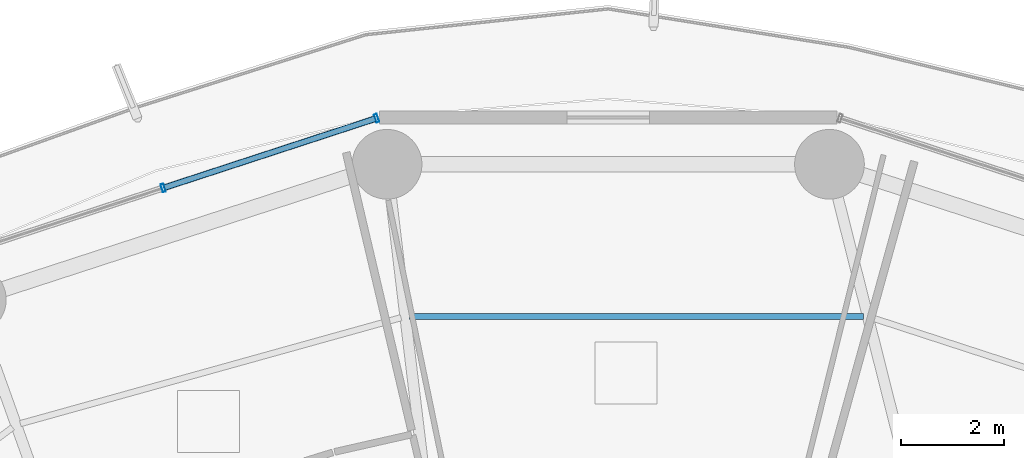
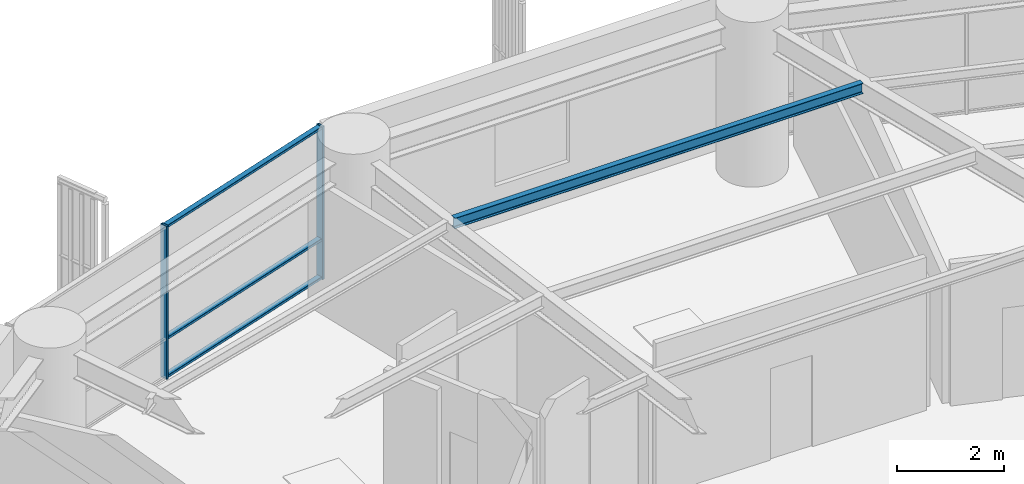
# One storey, part 22 of 36: 5 members, 1 beam, 1 element without a shape of its own.
"""IFC4 building model written with IfcOpenShell, lengths in metres."""

import ifcopenshell
import ifcopenshell.guid

model = None  # the IFC model being written
_history = None  # IfcOwnerHistory: only IFC2X3 demands one
_inside = {}  # id of a spatial element -> (the spatial element, [elements in it])
_under = {}  # id of a project, library or spatial element -> (it, [spatial elements below it])
_declared = {}  # id of a project -> (the project, [libraries it declares])
_typed = {}  # id of a type object -> (the type object, [elements of that type])
_made_of = {}  # id of a material, layer set ... -> (it, [elements and type objects made of it])


def new_model(schema):
    """Start an empty IFC model of exactly this schema.

    Asked for "IFC4X3", IfcOpenShell would pick the latest addendum, in which some entities
    have other attributes; the version numbers below select the first issue.
    IFC2X3 requires an IfcOwnerHistory on every rooted entity: one is made here for all.
    """
    global model, _history
    if schema == "IFC4X3":
        model = ifcopenshell.file(schema_version=(4, 3, 0, 0))
    else:
        model = ifcopenshell.file(schema=schema)
    _inside.clear()
    _under.clear()
    _declared.clear()
    _typed.clear()
    _made_of.clear()
    _history = None
    if model.schema == "IFC2X3":
        org = make("IfcOrganization", Name="unknown")
        user = make(
            "IfcPersonAndOrganization",
            ThePerson=make("IfcPerson", FamilyName="unknown"),
            TheOrganization=org,
        )
        app = make(
            "IfcApplication",
            ApplicationDeveloper=org,
            Version="unknown",
            ApplicationFullName="unknown",
            ApplicationIdentifier="unknown",
        )
        _history = make(
            "IfcOwnerHistory",
            OwningUser=user,
            OwningApplication=app,
            ChangeAction="ADDED",
            CreationDate=0,
        )
    return model


def make(cls, **values):
    """One entity of the class cls with the attributes given. An attribute that is None is left unset."""
    return model.create_entity(
        cls, **{name: value for name, value in values.items() if value is not None}
    )


def rooted(cls, **values):
    """An entity with a GlobalId (a new one), such as an element, a storey or a relation."""
    return make(cls, GlobalId=ifcopenshell.guid.new(), OwnerHistory=_history, **values)


def si_unit(unit_type, name, prefix=None):
    """IfcSIUnit, for example si_unit("LENGTHUNIT", "METRE", prefix="MILLI")."""
    return make("IfcSIUnit", UnitType=unit_type, Prefix=prefix, Name=name)


def assignment(units):
    """IfcUnitAssignment: the units of a project."""
    return None if units is None else make("IfcUnitAssignment", Units=units)


def point(xyz):
    """IfcCartesianPoint."""
    return None if xyz is None else make("IfcCartesianPoint", Coordinates=xyz)


def direction(xyz):
    """IfcDirection."""
    return None if xyz is None else make("IfcDirection", DirectionRatios=xyz)


def frame(location, z_axis=None, x_axis=None):
    """IfcAxis2Placement3D, a coordinate frame: its origin and axes. An axis left out is left unset."""
    return make(
        "IfcAxis2Placement3D",
        Location=point(location),
        Axis=direction(z_axis),
        RefDirection=direction(x_axis),
    )


def frame_2d(location, x_axis=None):
    """IfcAxis2Placement2D, a coordinate frame in the plane: its origin and x axis."""
    return make(
        "IfcAxis2Placement2D", Location=point(location), RefDirection=direction(x_axis)
    )


def origin():
    """The frame at (0, 0, 0) with its axes left unset."""
    return frame((0.0, 0.0, 0.0))


def origin_2d():
    """The frame at (0, 0) in the plane with its x axis left unset."""
    return frame_2d((0.0, 0.0))


def place(relative_to, where):
    """IfcLocalPlacement: puts the frame where relative to a parent placement (None: the world)."""
    return make(
        "IfcLocalPlacement", PlacementRelTo=relative_to, RelativePlacement=where
    )


def context(
    kind, dimensions, precision=None, world=None, true_north=None, identifier=None
):
    """IfcGeometricRepresentationContext, for example the 3D "Model" context."""
    return make(
        "IfcGeometricRepresentationContext",
        ContextIdentifier=identifier,
        ContextType=kind,
        CoordinateSpaceDimension=dimensions,
        Precision=precision,
        WorldCoordinateSystem=world,
        TrueNorth=true_north,
    )


def subcontext(parent, identifier, kind, view, scale=None):
    """IfcGeometricRepresentationSubContext, for example "Body" below "Model"."""
    return make(
        "IfcGeometricRepresentationSubContext",
        ContextIdentifier=identifier,
        ContextType=kind,
        ParentContext=parent,
        TargetScale=scale,
        TargetView=view,
    )


def project(units=None, contexts=None):
    """IfcProject with its units and contexts."""
    return rooted(
        "IfcProject",
        Name="project",
        RepresentationContexts=contexts,
        UnitsInContext=assignment(units),
    )


def spatial(cls, under=None, at=None, **own):
    """A site, building, storey or space (cls), placed at a placement, below another one or the project."""
    s = rooted(cls, ObjectPlacement=at, **own)
    if under is not None:
        _under.setdefault(under.id(), (under, []))[1].append(s)
    return s


def profile(cls, at=None, kind="AREA", **sizes):
    """A parametric profile (cls). Its sizes go by their IFC names, for example OverallWidth=200.0."""
    return make(cls, ProfileType=kind, Position=at, **sizes)


def hollow_rectangle(**sizes):
    """IfcRectangleHollowProfileDef."""
    return profile("IfcRectangleHollowProfileDef", **sizes)


def i_section(**sizes):
    """IfcIShapeProfileDef."""
    return profile("IfcIShapeProfileDef", **sizes)


def extrude(swept, where, along, depth):
    """IfcExtrudedAreaSolid: the profile swept, set in the frame where, extruded along a direction by depth."""
    return make(
        "IfcExtrudedAreaSolid",
        SweptArea=swept,
        Position=where,
        ExtrudedDirection=direction(along),
        Depth=depth,
    )


def shape(context_of_items, identifier, shape_type, items):
    """IfcShapeRepresentation: the items that make up one representation, for example the "Body"."""
    return make(
        "IfcShapeRepresentation",
        ContextOfItems=context_of_items,
        RepresentationIdentifier=identifier,
        RepresentationType=shape_type,
        Items=items,
    )


def material(Name=None, Category=None):
    """IfcMaterial."""
    return make("IfcMaterial", Name=Name, Category=Category)


def layer(
    of_material, thickness, ventilated=None, Name=None, Category=None, Priority=None
):
    """IfcMaterialLayer: one layer of a wall or slab, of a material (None: an air gap)."""
    return make(
        "IfcMaterialLayer",
        Material=of_material,
        LayerThickness=thickness,
        IsVentilated=ventilated,
        Name=Name,
        Category=Category,
        Priority=Priority,
    )


def layer_set(layers, Name=None):
    """IfcMaterialLayerSet."""
    return make("IfcMaterialLayerSet", MaterialLayers=layers, LayerSetName=Name)


def material_profile(
    of_material, cross_section, Name=None, Category=None, Priority=None
):
    """IfcMaterialProfile: a cross section and its material."""
    return make(
        "IfcMaterialProfile",
        Name=Name,
        Material=of_material,
        Profile=cross_section,
        Priority=Priority,
        Category=Category,
    )


def profile_set(profiles, Name=None, composite=None):
    """IfcMaterialProfileSet."""
    return make(
        "IfcMaterialProfileSet",
        Name=Name,
        MaterialProfiles=profiles,
        CompositeProfile=composite,
    )


def made_of(thing, what):
    """Note that an element or type object is made of a material, layer set ...; save() writes the relation."""
    if what is not None:
        _made_of.setdefault(what.id(), (what, []))[1].append(thing)
    return thing


def type_object(cls, material=None, **own):
    """A type object (cls), such as IfcWallType, which elements share."""
    return made_of(rooted(cls, **own), material)


def element(
    cls,
    number,
    at=None,
    inside=None,
    cuts=None,
    type_object=None,
    material=None,
    context=None,
    identifier="Body",
    shape_type=None,
    held_by="IfcProductDefinitionShape",
    body=None,
    shapes=None,
    **own,
):
    """One element of the class cls, such as IfcWall. Its Tag is "e" and its number.

    at: its placement. inside: the storey or other place that contains it. cuts: it is an
    opening in that element (IfcRelVoidsElement). A single representation is given by context,
    identifier, shape_type and body (its items); several are given by shapes. held_by: the class
    of the entity that holds the representations. save() writes the other relations.
    """
    e = rooted(cls, Tag="e%d" % number, ObjectPlacement=at, **own)
    if body is not None:
        shapes = [shape(context, identifier, shape_type, body)]
    if shapes is not None:
        e.Representation = make(held_by, Representations=shapes)
    if inside is not None:
        _inside.setdefault(inside.id(), (inside, []))[1].append(e)
    if cuts is not None:
        rooted(
            "IfcRelVoidsElement", RelatingBuildingElement=cuts, RelatedOpeningElement=e
        )
    if type_object is not None:
        _typed.setdefault(type_object.id(), (type_object, []))[1].append(e)
    return made_of(e, material)


def aggregate(whole, parts):
    """IfcRelAggregates: a whole, such as a stair, and the parts it consists of."""
    return rooted("IfcRelAggregates", RelatingObject=whole, RelatedObjects=parts)


def save(model, path):
    """Write the relations noted so far, then the file.

    IfcRelAggregates (storeys below a building ...), IfcRelContainedInSpatialStructure (elements
    in a storey), IfcRelDefinesByType, IfcRelAssociatesMaterial and IfcRelDeclares: one each for
    every whole, place, type object, material and project.
    """
    for whole, parts in _under.values():
        aggregate(whole, parts)
    for where, things in _inside.values():
        rooted(
            "IfcRelContainedInSpatialStructure",
            RelatedElements=things,
            RelatingStructure=where,
        )
    for kind, things in _typed.values():
        rooted("IfcRelDefinesByType", RelatedObjects=things, RelatingType=kind)
    for what, things in _made_of.values():
        rooted("IfcRelAssociatesMaterial", RelatedObjects=things, RelatingMaterial=what)
    for by, libraries in _declared.values():
        rooted("IfcRelDeclares", RelatingContext=by, RelatedDefinitions=libraries)
    model.write(path)


model = new_model("IFC4")

# Units and contexts
model_context = context("Model", 3, precision=1e-05, world=origin(), true_north=direction((0.0, 1.0)))
body_context = subcontext(model_context, "Body", "Model", "MODEL_VIEW")
ifc_project = project(units=[si_unit("LENGTHUNIT", "METRE"), si_unit("AREAUNIT", "SQUARE_METRE"), si_unit("VOLUMEUNIT", "CUBIC_METRE"), si_unit("PLANEANGLEUNIT", "RADIAN"), si_unit("MASSUNIT", "GRAM", prefix="KILO")], contexts=[model_context])

# Site, building, storey
site_placement = place(None, origin())
site = spatial("IfcSite", under=ifc_project, at=site_placement, CompositionType="ELEMENT")
building_placement = place(site_placement, origin())
building = spatial("IfcBuilding", under=site, at=building_placement, Name="Kelanora Arch Commons", CompositionType="ELEMENT")
storey_placement = place(building_placement, frame((0.0, 0.0, 102.60009765625)))
storey = spatial("IfcBuildingStorey", under=building, at=storey_placement, Name="L26", CompositionType="ELEMENT", Elevation=102.60009765625)

# Beam
ifc_material_1 = material(Name="Steel S355", Category="steel")
ifc_material_profile_1 = material_profile(ifc_material_1, i_section(OverallWidth=0.1201171875, OverallDepth=0.239990234375, WebThickness=0.006103515625, FlangeThickness=0.009765625, FilletRadius=0.014892578125, at=origin_2d()), Name="IPE240")
ifc_profile_set_1 = profile_set([ifc_material_profile_1], Name="Steel S355")
beam_type = type_object("IfcBeamType", Name="BM-JST-02", PredefinedType="JOIST", material=ifc_profile_set_1)
beam_placement = place(storey_placement, frame((78.943603515625, 76.795654296875, 3.369873046875), z_axis=(-1.0, 0.0, 0.0), x_axis=(0.0, -1.0, 0.0)))
element("IfcBeam", 1, at=beam_placement, inside=storey, type_object=beam_type, Name="Secondary Chord Joist BJC-08 L26", PredefinedType="JOIST", context=body_context, shape_type="SweptSolid", body=[
    extrude(i_section(OverallWidth=0.1201171875, OverallDepth=0.239990234375, WebThickness=0.006103515625, FlangeThickness=0.009765625, FilletRadius=0.014892578125, at=origin_2d()), origin(), (0.0, 0.0, 1.0), 8.791015625),
])

# Curtain wall, members
ifc_material_2 = material(Name="Terracotta ceramic-fritted low-E glass and aluminium", Category="masonry")
ifc_layer = layer(ifc_material_2, 0.159912109375)
ifc_layer_set = layer_set([ifc_layer], Name="Terracotta ceramic-fritted low-E glass and aluminium")
curtain_wall_type = type_object("IfcCurtainWallType", Name="CW-SYS-01", PredefinedType="NOTDEFINED", material=ifc_layer_set)
curtain_wall_placement = place(storey_placement, origin())
curtain_wall = element("IfcCurtainWall", 2, at=curtain_wall_placement, inside=storey, type_object=curtain_wall_type, Name="Unitised Curtain Wall L26-B05", PredefinedType="NOTDEFINED")
ifc_material_3 = material(Name="Powder-coated aluminium terracotta", Category="masonry")
ifc_material_profile_2 = material_profile(ifc_material_3, hollow_rectangle(XDim=0.159912109375, YDim=0.06005859375, WallThickness=0.0048828125, InnerFilletRadius=0.0048828125, OuterFilletRadius=0.010009765625, at=origin_2d()), Name="CWM160x60")
ifc_profile_set_2 = profile_set([ifc_material_profile_2], Name="Powder-coated aluminium terracotta")
member_type_1 = type_object("IfcMemberType", Name="CWM-STD", PredefinedType="MULLION", material=ifc_profile_set_2)
member_1_placement = place(storey_placement, frame((69.51171875, 80.636474609375, 0.0), z_axis=(0.0, 0.0, 1.0), x_axis=(0.31080470294, -0.950473795867, 0.0)))
member_1 = element("IfcMember", 3, at=member_1_placement, type_object=member_type_1, Name="CW-01 mullion 1", PredefinedType="MULLION", context=body_context, shape_type="SweptSolid", body=[
    extrude(hollow_rectangle(XDim=0.159912109375, YDim=0.06005859375, WallThickness=0.0048828125, InnerFilletRadius=0.0048828125, OuterFilletRadius=0.010009765625, at=origin_2d()), origin(), (0.0, 0.0, 1.0), 3.474853515625),
])
member_2_placement = place(storey_placement, frame((65.377197265625, 79.28466796875, 0.0), z_axis=(0.0, 0.0, 1.0), x_axis=(0.31080470294, -0.950473795867, 0.0)))
member_2 = element("IfcMember", 4, at=member_2_placement, type_object=member_type_1, Name="CW-01 mullion 2", PredefinedType="MULLION", context=body_context, shape_type="SweptSolid", body=[
    extrude(hollow_rectangle(XDim=0.159912109375, YDim=0.06005859375, WallThickness=0.0048828125, InnerFilletRadius=0.0048828125, OuterFilletRadius=0.010009765625, at=origin_2d()), origin(), (0.0, 0.0, 1.0), 3.474853515625),
])
ifc_material_profile_3 = material_profile(ifc_material_3, hollow_rectangle(XDim=0.1201171875, YDim=0.06005859375, WallThickness=0.0048828125, InnerFilletRadius=0.0048828125, OuterFilletRadius=0.010009765625, at=origin_2d()), Name="CWT120x60")
ifc_profile_set_3 = profile_set([ifc_material_profile_3], Name="Powder-coated aluminium terracotta")
member_type_2 = type_object("IfcMemberType", Name="CWT-STD", PredefinedType="USERDEFINED", material=ifc_profile_set_3)
member_3_placement = place(storey_placement, frame((69.483154296875, 80.627197265625, 0.02978515625), z_axis=(-0.950477544745, -0.31079323824, 0.0), x_axis=(0.31079323824, -0.950477544745, 0.0)))
member_3 = element("IfcMember", 5, at=member_3_placement, type_object=member_type_2, Name="CW-01 transom 1.1", ObjectType="TRANSOM", PredefinedType="USERDEFINED", context=body_context, shape_type="SweptSolid", body=[
    extrude(hollow_rectangle(XDim=0.1201171875, YDim=0.06005859375, WallThickness=0.0048828125, InnerFilletRadius=0.0048828125, OuterFilletRadius=0.010009765625, at=origin_2d()), origin(), (0.0, 0.0, 1.0), 4.289794921875),
])
member_4_placement = place(storey_placement, frame((69.483154296875, 80.627197265625, 0.89990234375), z_axis=(-0.950477544745, -0.31079323824, 0.0), x_axis=(0.31079323824, -0.950477544745, 0.0)))
member_4 = element("IfcMember", 6, at=member_4_placement, type_object=member_type_2, Name="CW-01 transom 1.2", ObjectType="TRANSOM", PredefinedType="USERDEFINED", context=body_context, shape_type="SweptSolid", body=[
    extrude(hollow_rectangle(XDim=0.1201171875, YDim=0.06005859375, WallThickness=0.0048828125, InnerFilletRadius=0.0048828125, OuterFilletRadius=0.010009765625, at=origin_2d()), origin(), (0.0, 0.0, 1.0), 4.289794921875),
])
member_5_placement = place(storey_placement, frame((69.483154296875, 80.627197265625, 3.44482421875), z_axis=(-0.950477544745, -0.31079323824, 0.0), x_axis=(0.31079323824, -0.950477544745, 0.0)))
member_5 = element("IfcMember", 7, at=member_5_placement, type_object=member_type_2, Name="CW-01 transom 1.3", ObjectType="TRANSOM", PredefinedType="USERDEFINED", context=body_context, shape_type="SweptSolid", body=[
    extrude(hollow_rectangle(XDim=0.1201171875, YDim=0.06005859375, WallThickness=0.0048828125, InnerFilletRadius=0.0048828125, OuterFilletRadius=0.010009765625, at=origin_2d()), origin(), (0.0, 0.0, 1.0), 4.289794921875),
])
aggregate(curtain_wall, [member_1, member_2, member_3, member_4, member_5])

save(model, "model.ifc")
